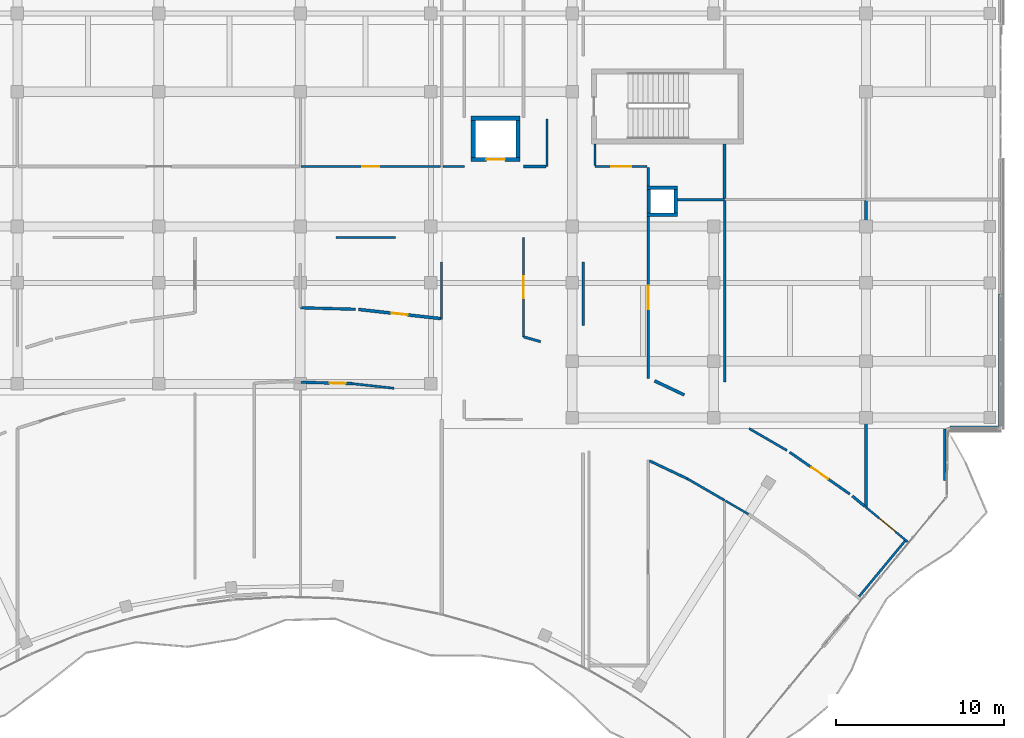
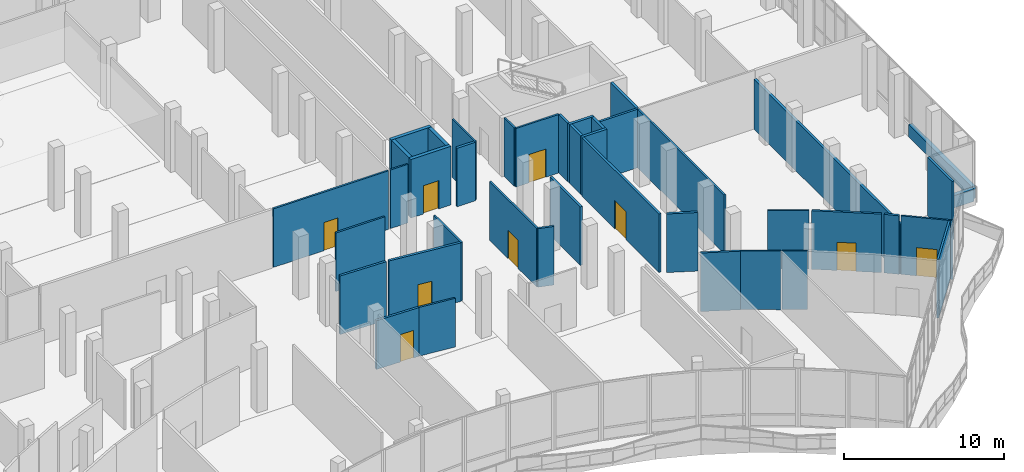
# One storey, part 140 of 155: 41 walls, 9 doors, 9 openings.
"""IFC4 building model written with IfcOpenShell, lengths in metres."""

from ifc_helpers import new_model, si_unit, direction, frame, frame_2d, origin, place, context, subcontext, project, spatial, rectangle, extrude, material, layer, layer_set, type_object, element, fill, save


model = new_model("IFC4")

# Units and contexts
model_context = context("Model", 3, precision=1e-05, world=origin(), true_north=direction((0.0, 1.0)))
body_context = subcontext(model_context, "Body", "Model", "MODEL_VIEW")
ifc_project = project(units=[si_unit("LENGTHUNIT", "METRE"), si_unit("AREAUNIT", "SQUARE_METRE"), si_unit("VOLUMEUNIT", "CUBIC_METRE"), si_unit("PLANEANGLEUNIT", "RADIAN"), si_unit("MASSUNIT", "GRAM", prefix="KILO")], contexts=[model_context])

# Site, building, storey
site_placement = place(None, origin())
site = spatial("IfcSite", under=ifc_project, at=site_placement, CompositionType="ELEMENT")
building_placement = place(site_placement, origin())
building = spatial("IfcBuilding", under=site, at=building_placement, Name="Selatvlak General Hospital", CompositionType="ELEMENT")
storey_placement = place(building_placement, frame((0.0, 0.0, 10.199951171875)))
storey = spatial("IfcBuildingStorey", under=building, at=storey_placement, Name="L02", CompositionType="ELEMENT", Elevation=10.199951171875)

# Walls
ifc_material_1 = material(Name="Precast concrete C40/50 - white Bauhaus spandrel", Category="concrete")
ifc_layer_1 = layer(ifc_material_1, 0.280029296875, Name="Precast concrete C40/50 - white Bauhaus spandrel", Category="concrete")
ifc_layer_set_1 = layer_set([ifc_layer_1], Name="Precast concrete C40/50 - white Bauhaus spandrel")
wall_type_1 = type_object("IfcWallType", Name="WALL-EW-02", PredefinedType="SOLIDWALL", material=ifc_layer_set_1)
wall_1_placement = place(storey_placement, frame((182.0, 71.9990234375, 0.0), z_axis=(0.0, 0.0, 1.0), x_axis=(0.0, -1.0, 0.0)))
element("IfcWall", 1, at=wall_1_placement, inside=storey, type_object=wall_type_1, Name="L02 Bauhaus spandrel sill wall 0312", PredefinedType="SOLIDWALL", context=body_context, shape_type="SweptSolid", body=[
    extrude(rectangle(XDim=7.85791015625, YDim=0.280029296875, at=frame_2d((3.928955078125, 0.0))), origin(), (0.0, 0.0, 1.0), 0.93994140625),
])
wall_2_placement = place(storey_placement, frame((181.860107421875, 64.0009765625, 0.0), z_axis=(0.0, 0.0, 1.0), x_axis=(-0.999999941708, -0.000341442575, 0.0)))
element("IfcWall", 2, at=wall_2_placement, inside=storey, type_object=wall_type_1, Name="L02 Bauhaus spandrel sill wall 0313", PredefinedType="SOLIDWALL", context=body_context, shape_type="SweptSolid", body=[
    extrude(rectangle(XDim=2.860107421875, YDim=0.280029296875, at=frame_2d((1.43017578125, 0.0))), origin(), (0.0, 0.0, 1.0), 0.93994140625),
])
ifc_material_2 = material(Name="Concrete C40/50", Category="concrete")
ifc_layer_2 = layer(ifc_material_2, 0.199951171875, Name="Concrete C40/50", Category="concrete")
ifc_layer_set_2 = layer_set([ifc_layer_2], Name="Concrete C40/50")
wall_type_2 = type_object("IfcWallType", Name="WALL-IW-02", PredefinedType="SOLIDWALL", material=ifc_layer_set_2)
wall_3_placement = place(storey_placement, frame((161.0, 76.699951171875, 0.0), z_axis=(0.0, 0.0, 1.0), x_axis=(1.0, 0.0, 0.0)))
element("IfcWall", 3, at=wall_3_placement, inside=storey, type_object=wall_type_2, Name="Service riser 4 shaft wall L02 S", PredefinedType="SOLIDWALL", context=body_context, shape_type="SweptSolid", body=[
    extrude(rectangle(XDim=1.800048828125, YDim=0.199951171875, at=frame_2d((0.89990234375, 0.0))), origin(), (0.0, 0.0, 1.0), 4.4599609375),
])
wall_4_placement = place(storey_placement, frame((162.699951171875, 76.800048828125, 0.0), z_axis=(0.0, 0.0, 1.0), x_axis=(0.0, 1.0, 0.0)))
element("IfcWall", 4, at=wall_4_placement, inside=storey, type_object=wall_type_2, Name="Service riser 4 shaft wall L02 E", PredefinedType="SOLIDWALL", context=body_context, shape_type="SweptSolid", body=[
    extrude(rectangle(XDim=1.39990234375, YDim=0.199951171875, at=frame_2d((0.699951171875, 0.0))), origin(), (0.0, 0.0, 1.0), 4.4599609375),
])
wall_5_placement = place(storey_placement, frame((162.800048828125, 78.300048828125, 0.0), z_axis=(0.0, 0.0, 1.0), x_axis=(-1.0, 0.0, 0.0)))
element("IfcWall", 5, at=wall_5_placement, inside=storey, type_object=wall_type_2, Name="Service riser 4 shaft wall L02 N", PredefinedType="SOLIDWALL", context=body_context, shape_type="SweptSolid", body=[
    extrude(rectangle(XDim=1.800048828125, YDim=0.199951171875, at=frame_2d((0.89990234375, 0.0))), origin(), (0.0, 0.0, 1.0), 4.4599609375),
])
wall_6_placement = place(storey_placement, frame((161.10009765625, 78.199951171875, 0.0), z_axis=(0.0, 0.0, 1.0), x_axis=(0.0, -1.0, 0.0)))
element("IfcWall", 6, at=wall_6_placement, inside=storey, type_object=wall_type_2, Name="Service riser 4 shaft wall L02 W", PredefinedType="SOLIDWALL", context=body_context, shape_type="SweptSolid", body=[
    extrude(rectangle(XDim=1.39990234375, YDim=0.199951171875, at=frame_2d((0.699951171875, 0.0))), origin(), (0.0, 0.0, 1.0), 4.4599609375),
])

# Wall, opening, door
ifc_material_3 = material(Name="Acoustic gypsum stud partition")
ifc_layer_3 = layer(ifc_material_3, 0.179931640625, Name="Acoustic gypsum stud partition")
ifc_layer_set_3 = layer_set([ifc_layer_3], Name="Acoustic gypsum stud partition")
wall_type_3 = type_object("IfcWallType", Name="WALL-PT-01", PredefinedType="PARTITIONING", material=ifc_layer_set_3)
wall_7_placement = place(storey_placement, frame((148.743896484375, 70.531005859375, 0.0), z_axis=(0.0, 0.0, 1.0), x_axis=(-0.993925453939, 0.110055404284, 0.0)))
wall_7 = element("IfcWall", 7, at=wall_7_placement, inside=storey, type_object=wall_type_3, Name="L02 clinical partition PT-L02-1215", PredefinedType="PARTITIONING", context=body_context, shape_type="SweptSolid", body=[
    extrude(rectangle(XDim=4.915771484375, YDim=0.179931640625, at=frame_2d((2.4580078125, 0.0))), origin(), (0.0, 0.0, 1.0), 4.4599609375),
])
opening_1_placement = place(wall_7_placement, frame((1.98291015625, 0.0, 0.0)))
opening_1 = element("IfcOpeningElement", 8, at=opening_1_placement, cuts=wall_7, Name="Opening D-02", PredefinedType="OPENING", context=body_context, shape_type="SweptSolid", body=[
    extrude(rectangle(XDim=0.949951171875, YDim=2.10009765625, at=frame_2d((0.47509765625, 1.050048828125))), frame((0.0, 0.099853515625, 0.0), z_axis=(0.0, -1.0, 0.0), x_axis=(1.0, 0.0, 0.0)), (0.0, 0.0, 1.0), 0.199951171875),
])
ifc_material_4 = material(Name="Moisture-resistant en-suite door")
door_type_1 = type_object("IfcDoorType", Name="DOOR-D-02", OperationType="NOTDEFINED", PredefinedType="DOOR", material=ifc_material_4)
door_1_placement = place(opening_1_placement, origin())
door_1 = element("IfcDoor", 9, at=door_1_placement, inside=storey, type_object=door_type_1, Name="L02 Post-Anaesthesia Recovery Suite 33 door", OperationType="SINGLE_SWING_RIGHT", OverallHeight=2.10009765625, OverallWidth=0.949951171875, PredefinedType="DOOR", context=body_context, shape_type="SweptSolid", body=[
    extrude(rectangle(XDim=0.949951171875, YDim=2.10009765625, at=frame_2d((0.47509765625, 1.050048828125))), frame((0.0, 0.02490234375, 0.0), z_axis=(0.0, -1.0, 0.0), x_axis=(1.0, 0.0, 0.0)), (0.0, 0.0, 1.0), 0.050048828125),
])
fill(opening_1, door_1)

# Walls
wall_8_placement = place(storey_placement, frame((163.200927734375, 65.9970703125, 0.0), z_axis=(0.0, 0.0, 1.0), x_axis=(-0.903658874167, 0.428253008325, 0.0)))
element("IfcWall", 10, at=wall_8_placement, inside=storey, type_object=wall_type_3, Name="L02 clinical partition PT-L02-1230", PredefinedType="PARTITIONING", context=body_context, shape_type="SweptSolid", body=[
    extrude(rectangle(XDim=1.951904296875, YDim=0.179931640625, at=frame_2d((0.97607421875, 0.0))), origin(), (0.0, 0.0, 1.0), 4.4599609375),
])
wall_9_placement = place(storey_placement, frame((174.0, 77.5439453125, 0.0), z_axis=(0.0, 0.0, 1.0), x_axis=(0.0, -1.0, 0.0)))
element("IfcWall", 11, at=wall_9_placement, inside=storey, type_object=wall_type_3, Name="L02 clinical partition PT-L02-1240", PredefinedType="PARTITIONING", context=body_context, shape_type="SweptSolid", body=[
    extrude(rectangle(XDim=18.224853515625, YDim=0.179931640625, at=frame_2d((9.1123046875, 0.0))), origin(), (0.0, 0.0, 1.0), 3.81005859375),
])
wall_10_placement = place(storey_placement, frame((154.98388671875, 79.56005859375, 0.0), z_axis=(0.0, 0.0, 1.0), x_axis=(-1.0, 0.0, 0.0)))
element("IfcWall", 12, at=wall_10_placement, inside=storey, type_object=wall_type_3, Name="L02 clinical partition PT-L02-1310", PredefinedType="PARTITIONING", context=body_context, shape_type="SweptSolid", body=[
    extrude(rectangle(XDim=1.323974609375, YDim=0.179931640625, at=frame_2d((0.662109375, 0.0))), origin(), (0.0, 0.0, 1.0), 4.4599609375),
])
wall_11_placement = place(storey_placement, frame((165.60009765625, 80.89306640625, 0.0), z_axis=(0.0, 0.0, 1.0), x_axis=(0.0, -1.0, 0.0)))
element("IfcWall", 13, at=wall_11_placement, inside=storey, type_object=wall_type_3, Name="L02 clinical partition PT-L02-1320", PredefinedType="PARTITIONING", context=body_context, shape_type="SweptSolid", body=[
    extrude(rectangle(XDim=3.22216796875, YDim=0.179931640625, at=frame_2d((1.611083984375, 0.0))), origin(), (0.0, 0.0, 1.0), 4.4599609375),
])

# Wall, opening, door
ifc_layer_4 = layer(ifc_material_3, 0.1650390625, Name="Acoustic gypsum stud partition")
ifc_layer_set_4 = layer_set([ifc_layer_4], Name="Acoustic gypsum stud partition")
wall_type_4 = type_object("IfcWallType", Name="WALL-PT-02", PredefinedType="PARTITIONING", material=ifc_layer_set_4)
wall_12_placement = place(storey_placement, frame((140.4560546875, 66.7509765625, 0.0), z_axis=(0.0, 0.0, 1.0), x_axis=(0.999619161953, -0.027595852149, 0.0)))
wall_12 = element("IfcWall", 14, at=wall_12_placement, inside=storey, type_object=wall_type_4, Name="L02 clinical partition PT-L02-1210", PredefinedType="PARTITIONING", context=body_context, shape_type="SweptSolid", body=[
    extrude(rectangle(XDim=3.008056640625, YDim=0.1650390625, at=frame_2d((1.50390625, 0.0))), origin(), (0.0, 0.0, 1.0), 3.7099609375),
])
opening_2_placement = place(wall_12_placement, frame((1.69091796875, 0.0, 0.0)))
opening_2 = element("IfcOpeningElement", 15, at=opening_2_placement, cuts=wall_12, Name="Opening D-02", PredefinedType="OPENING", context=body_context, shape_type="SweptSolid", body=[
    extrude(rectangle(XDim=0.949951171875, YDim=2.10009765625, at=frame_2d((0.47509765625, 1.050048828125))), frame((0.0, 0.092529296875, 0.0), z_axis=(0.0, -1.0, 0.0), x_axis=(1.0, 0.0, 0.0)), (0.0, 0.0, 1.0), 0.18505859375),
])
door_2_placement = place(opening_2_placement, origin())
door_2 = element("IfcDoor", 16, at=door_2_placement, inside=storey, type_object=door_type_1, Name="L02 Operating Theatre 32 door", OperationType="SINGLE_SWING_LEFT", OverallHeight=2.10009765625, OverallWidth=0.949951171875, PredefinedType="DOOR", context=body_context, shape_type="SweptSolid", body=[
    extrude(rectangle(XDim=0.949951171875, YDim=2.10009765625, at=frame_2d((0.47509765625, 1.050048828125))), frame((0.0, 0.02490234375, 0.0), z_axis=(0.0, -1.0, 0.0), x_axis=(1.0, 0.0, 0.0)), (0.0, 0.0, 1.0), 0.050048828125),
])
fill(opening_2, door_2)

# Walls
wall_13_placement = place(storey_placement, frame((143.676025390625, 71.083984375, 0.0), z_axis=(0.0, 0.0, 1.0), x_axis=(-0.999622135389, 0.02748793263, 0.0)))
element("IfcWall", 17, at=wall_13_placement, inside=storey, type_object=wall_type_4, Name="L02 clinical partition PT-L02-1216", PredefinedType="PARTITIONING", context=body_context, shape_type="SweptSolid", body=[
    extrude(rectangle(XDim=3.27734375, YDim=0.1650390625, at=frame_2d((1.638671875, 0.0))), origin(), (0.0, 0.0, 1.0), 4.4599609375),
])
wall_14_placement = place(storey_placement, frame((157.199951171875, 73.887939453125, 0.0), z_axis=(0.0, 0.0, 1.0), x_axis=(0.0, -1.0, 0.0)))
element("IfcWall", 18, at=wall_14_placement, inside=storey, type_object=wall_type_4, Name="L02 clinical partition PT-L02-1221", PredefinedType="PARTITIONING", context=body_context, shape_type="SweptSolid", body=[
    extrude(rectangle(XDim=3.77587890625, YDim=0.1650390625, at=frame_2d((1.887939453125, 0.0))), origin(), (0.0, 0.0, 1.0), 4.4599609375),
])

# Wall, opening, door
wall_15_placement = place(storey_placement, frame((161.06005859375, 66.98291015625, 0.0), z_axis=(0.0, 0.0, 1.0), x_axis=(0.0, 1.0, 0.0)))
wall_15 = element("IfcWall", 19, at=wall_15_placement, inside=storey, type_object=wall_type_4, Name="L02 clinical partition PT-L02-1231", PredefinedType="PARTITIONING", context=body_context, shape_type="SweptSolid", body=[
    extrude(rectangle(XDim=9.6201171875, YDim=0.1650390625, at=frame_2d((4.81005859375, 0.0))), origin(), (0.0, 0.0, 1.0), 4.4599609375),
])
opening_3_placement = place(wall_15_placement, frame((4.110107421875, 0.0, 0.0)))
opening_3 = element("IfcOpeningElement", 20, at=opening_3_placement, cuts=wall_15, Name="Opening D-11", PredefinedType="OPENING", context=body_context, shape_type="SweptSolid", body=[
    extrude(rectangle(XDim=1.39990234375, YDim=2.14990234375, at=frame_2d((0.699951171875, 1.074951171875))), frame((0.0, 0.092529296875, 0.0), z_axis=(0.0, -1.0, 0.0), x_axis=(1.0, 0.0, 0.0)), (0.0, 0.0, 1.0), 0.18505859375),
])
ifc_material_5 = material(Name="Inpatient suite bed door")
door_type_2 = type_object("IfcDoorType", Name="DOOR-D-11", OperationType="NOTDEFINED", PredefinedType="DOOR", material=ifc_material_5)
door_3_placement = place(opening_3_placement, origin())
door_3 = element("IfcDoor", 21, at=door_3_placement, inside=storey, type_object=door_type_2, Name="L02 Cardiac Catheterisation Lab 37 door", OperationType="SINGLE_SWING_RIGHT", OverallHeight=2.14990234375, OverallWidth=1.39990234375, PredefinedType="DOOR", context=body_context, shape_type="SweptSolid", body=[
    extrude(rectangle(XDim=1.39990234375, YDim=2.14990234375, at=frame_2d((0.699951171875, 1.074951171875))), frame((0.0, 0.02490234375, 0.0), z_axis=(0.0, -1.0, 0.0), x_axis=(1.0, 0.0, 0.0)), (0.0, 0.0, 1.0), 0.050048828125),
])
fill(opening_3, door_3)

# Walls
wall_16_placement = place(storey_placement, frame((173.9140625, 59.389892578125, 0.0), z_axis=(0.0, 0.0, 1.0), x_axis=(-0.769736392055, 0.638361877579, 0.0)))
element("IfcWall", 22, at=wall_16_placement, inside=storey, type_object=wall_type_4, Name="L02 clinical partition PT-L02-1241", PredefinedType="PARTITIONING", context=body_context, shape_type="SweptSolid", body=[
    extrude(rectangle(XDim=0.94970703125, YDim=0.1650390625, at=frame_2d((0.474853515625, 0.0))), origin(), (0.0, 0.0, 1.0), 4.4599609375),
])
ifc_layer_5 = layer(ifc_material_3, 0.14990234375, Name="Acoustic gypsum stud partition")
ifc_layer_set_5 = layer_set([ifc_layer_5], Name="Acoustic gypsum stud partition")
wall_type_5 = type_object("IfcWallType", Name="WALL-PT-03", PredefinedType="PARTITIONING", material=ifc_layer_set_5)
wall_17_placement = place(storey_placement, frame((154.672119140625, 69.159912109375, 0.0), z_axis=(0.0, 0.0, 1.0), x_axis=(-0.962047568244, 0.272881799386, 0.0)))
element("IfcWall", 23, at=wall_17_placement, inside=storey, type_object=wall_type_5, Name="L02 clinical partition PT-L02-1222", PredefinedType="PARTITIONING", context=body_context, shape_type="SweptSolid", body=[
    extrude(rectangle(XDim=1.05224609375, YDim=0.14990234375, at=frame_2d((0.526123046875, 0.0))), origin(), (0.0, 0.0, 1.0), 4.4599609375),
])
wall_18_placement = place(storey_placement, frame((161.137939453125, 62.083984375, 0.0), z_axis=(0.0, 0.0, 1.0), x_axis=(0.903650436863, -0.42827081147, 0.0)))
element("IfcWall", 24, at=wall_18_placement, inside=storey, type_object=wall_type_5, Name="L02 clinical partition PT-L02-1227", PredefinedType="PARTITIONING", context=body_context, shape_type="SweptSolid", body=[
    extrude(rectangle(XDim=2.503173828125, YDim=0.14990234375, at=frame_2d((1.25146484375, 0.0))), origin(), (0.0, 0.0, 1.0), 4.4599609375),
])
wall_19_placement = place(storey_placement, frame((162.797119140625, 77.60009765625, 0.0), z_axis=(0.0, 0.0, 1.0), x_axis=(1.0, 0.0, 0.0)))
element("IfcWall", 25, at=wall_19_placement, inside=storey, type_object=wall_type_5, Name="L02 clinical partition PT-L02-1232", PredefinedType="PARTITIONING", context=body_context, shape_type="SweptSolid", body=[
    extrude(rectangle(XDim=2.802978515625, YDim=0.14990234375, at=frame_2d((1.4013671875, 0.0))), origin(), (0.0, 0.0, 1.0), 4.4599609375),
])

# Wall, opening, door
wall_20_placement = place(storey_placement, frame((173.035888671875, 60.10693359375, 0.0), z_axis=(0.0, 0.0, 1.0), x_axis=(-0.820574971601, 0.571538901547, 0.0)))
wall_20 = element("IfcWall", 26, at=wall_20_placement, inside=storey, type_object=wall_type_5, Name="L02 clinical partition PT-L02-1237", PredefinedType="PARTITIONING", context=body_context, shape_type="SweptSolid", body=[
    extrude(rectangle(XDim=4.356689453125, YDim=0.14990234375, at=frame_2d((2.17822265625, 0.0))), origin(), (0.0, 0.0, 1.0), 4.4599609375),
])
opening_4_placement = place(wall_20_placement, frame((1.577880859375, 0.0, 0.0)))
opening_4 = element("IfcOpeningElement", 27, at=opening_4_placement, cuts=wall_20, Name="Opening D-23", PredefinedType="OPENING", context=body_context, shape_type="SweptSolid", body=[
    extrude(rectangle(XDim=1.199951171875, YDim=2.14990234375, at=frame_2d((0.60009765625, 1.074951171875))), frame((0.0, 0.0849609375, 0.0), z_axis=(0.0, -1.0, 0.0), x_axis=(1.0, 0.0, 0.0)), (0.0, 0.0, 1.0), 0.169921875),
])
ifc_material_6 = material(Name="Endoscopy clinical door")
door_type_3 = type_object("IfcDoorType", Name="DOOR-D-23", OperationType="NOTDEFINED", PredefinedType="DOOR", material=ifc_material_6)
door_4_placement = place(opening_4_placement, origin())
door_4 = element("IfcDoor", 28, at=door_4_placement, inside=storey, type_object=door_type_3, Name="L02 Post Anaesthesia Recovery Bay 39 door", OperationType="SINGLE_SWING_RIGHT", OverallHeight=2.14990234375, OverallWidth=1.199951171875, PredefinedType="DOOR", context=body_context, shape_type="SweptSolid", body=[
    extrude(rectangle(XDim=1.199951171875, YDim=2.14990234375, at=frame_2d((0.60009765625, 1.074951171875))), frame((0.0, 0.02490234375, 0.0), z_axis=(0.0, -1.0, 0.0), x_axis=(1.0, 0.0, 0.0)), (0.0, 0.0, 1.0), 0.050048828125),
])
fill(opening_4, door_4)

# Walls
wall_21_placement = place(storey_placement, frame((178.659912109375, 63.97509765625, 0.0), z_axis=(0.0, 0.0, 1.0), x_axis=(0.0, -1.0, 0.0)))
element("IfcWall", 29, at=wall_21_placement, inside=storey, type_object=wall_type_5, Name="L02 clinical partition PT-L02-1242", PredefinedType="PARTITIONING", context=body_context, shape_type="SweptSolid", body=[
    extrude(rectangle(XDim=3.071044921875, YDim=0.14990234375, at=frame_2d((1.53564453125, 0.0))), origin(), (0.0, 0.0, 1.0), 4.4599609375),
])
wall_22_placement = place(storey_placement, frame((161.06005859375, 78.39697265625, 0.0), z_axis=(0.0, 0.0, 1.0), x_axis=(0.0, 1.0, 0.0)))
element("IfcWall", 30, at=wall_22_placement, inside=storey, type_object=wall_type_5, Name="L02 clinical partition PT-L02-1317", PredefinedType="PARTITIONING", context=body_context, shape_type="SweptSolid", body=[
    extrude(rectangle(XDim=1.10302734375, YDim=0.14990234375, at=frame_2d((0.551513671875, 0.0))), origin(), (0.0, 0.0, 1.0), 4.4599609375),
])
ifc_material_7 = material(Name="Moisture-resistant clinical partition")
ifc_layer_6 = layer(ifc_material_7, 0.135009765625, Name="Moisture-resistant clinical partition")
ifc_layer_set_6 = layer_set([ifc_layer_6], Name="Moisture-resistant clinical partition")
wall_type_6 = type_object("IfcWallType", Name="WALL-PT-04", PredefinedType="PARTITIONING", material=ifc_layer_set_6)
wall_23_placement = place(storey_placement, frame((143.462890625, 66.66796875, 0.0), z_axis=(0.0, 0.0, 1.0), x_axis=(0.993938191899, -0.109940305095, 0.0)))
element("IfcWall", 31, at=wall_23_placement, inside=storey, type_object=wall_type_6, Name="L02 clinical partition PT-L02-1211", PredefinedType="PARTITIONING", context=body_context, shape_type="SweptSolid", body=[
    extrude(rectangle(XDim=2.50927734375, YDim=0.135009765625, at=frame_2d((1.254638671875, 0.0))), origin(), (0.0, 0.0, 1.0), 3.7099609375),
])
wall_24_placement = place(storey_placement, frame((142.508056640625, 75.340087890625, 0.0), z_axis=(0.0, 0.0, 1.0), x_axis=(1.0, 0.0, 0.0)))
element("IfcWall", 32, at=wall_24_placement, inside=storey, type_object=wall_type_6, Name="L02 clinical partition PT-L02-1213", PredefinedType="PARTITIONING", context=body_context, shape_type="SweptSolid", body=[
    extrude(rectangle(XDim=3.533935546875, YDim=0.135009765625, at=frame_2d((1.76708984375, 0.0))), origin(), (0.0, 0.0, 1.0), 4.4599609375),
])

# Wall, opening, door
wall_25_placement = place(storey_placement, frame((153.659912109375, 69.447021484375, 0.0), z_axis=(0.0, 0.0, 1.0), x_axis=(0.0, 1.0, 0.0)))
wall_25 = element("IfcWall", 33, at=wall_25_placement, inside=storey, type_object=wall_type_6, Name="L02 clinical partition PT-L02-1223", PredefinedType="PARTITIONING", context=body_context, shape_type="SweptSolid", body=[
    extrude(rectangle(XDim=5.89306640625, YDim=0.135009765625, at=frame_2d((2.946533203125, 0.0))), origin(), (0.0, 0.0, 1.0), 4.4599609375),
])
opening_5_placement = place(wall_25_placement, frame((2.297119140625, 0.0, 0.0)))
opening_5 = element("IfcOpeningElement", 34, at=opening_5_placement, cuts=wall_25, Name="Opening D-09", PredefinedType="OPENING", context=body_context, shape_type="SweptSolid", body=[
    extrude(rectangle(XDim=1.300048828125, YDim=2.14990234375, at=frame_2d((0.64990234375, 1.074951171875))), frame((0.0, 0.077392578125, 0.0), z_axis=(0.0, -1.0, 0.0), x_axis=(1.0, 0.0, 0.0)), (0.0, 0.0, 1.0), 0.155029296875),
])
ifc_material_8 = material(Name="Outpatient procedure door")
door_type_4 = type_object("IfcDoorType", Name="DOOR-D-09", OperationType="NOTDEFINED", PredefinedType="DOOR", material=ifc_material_8)
door_5_placement = place(opening_5_placement, origin())
door_5 = element("IfcDoor", 35, at=door_5_placement, inside=storey, type_object=door_type_4, Name="L02 Sterile Instrument Preparation 35 door", OperationType="SINGLE_SWING_RIGHT", OverallHeight=2.14990234375, OverallWidth=1.300048828125, PredefinedType="DOOR", context=body_context, shape_type="SweptSolid", body=[
    extrude(rectangle(XDim=1.300048828125, YDim=2.14990234375, at=frame_2d((0.64990234375, 1.074951171875))), frame((0.0, 0.02490234375, 0.0), z_axis=(0.0, -1.0, 0.0), x_axis=(1.0, 0.0, 0.0)), (0.0, 0.0, 1.0), 0.050048828125),
])
fill(opening_5, door_5)

# Walls
wall_26_placement = place(storey_placement, frame((163.39990234375, 61.011962890625, 0.0), z_axis=(0.0, 0.0, 1.0), x_axis=(0.865071180383, -0.501649133231, 0.0)))
element("IfcWall", 36, at=wall_26_placement, inside=storey, type_object=wall_type_6, Name="L02 clinical partition PT-L02-1228", PredefinedType="PARTITIONING", context=body_context, shape_type="SweptSolid", body=[
    extrude(rectangle(XDim=2.54345703125, YDim=0.135009765625, at=frame_2d((1.271728515625, 0.0))), origin(), (0.0, 0.0, 1.0), 4.4599609375),
])
wall_27_placement = place(storey_placement, frame((165.60009765625, 77.529052734375, 0.0), z_axis=(0.0, 0.0, 1.0), x_axis=(0.0, -1.0, 0.0)))
element("IfcWall", 37, at=wall_27_placement, inside=storey, type_object=wall_type_6, Name="L02 clinical partition PT-L02-1233", PredefinedType="PARTITIONING", context=body_context, shape_type="SweptSolid", body=[
    extrude(rectangle(XDim=10.76708984375, YDim=0.135009765625, at=frame_2d((5.383544921875, 0.0))), origin(), (0.0, 0.0, 1.0), 4.4599609375),
])
wall_28_placement = place(storey_placement, frame((169.306884765625, 62.696044921875, 0.0), z_axis=(0.0, 0.0, 1.0), x_axis=(-0.86512994763, 0.501547778097, 0.0)))
element("IfcWall", 38, at=wall_28_placement, inside=storey, type_object=wall_type_6, Name="L02 clinical partition PT-L02-1238", PredefinedType="PARTITIONING", context=body_context, shape_type="SweptSolid", body=[
    extrude(rectangle(XDim=2.595947265625, YDim=0.135009765625, at=frame_2d((1.2978515625, 0.0))), origin(), (0.0, 0.0, 1.0), 4.4599609375),
])
wall_29_placement = place(storey_placement, frame((173.583984375, 54.02587890625, 0.0), z_axis=(0.0, 0.0, 1.0), x_axis=(0.637775393062, 0.770222401651, 0.0)))
element("IfcWall", 39, at=wall_29_placement, inside=storey, type_object=wall_type_6, Name="L02 clinical partition PT-L02-1243", PredefinedType="PARTITIONING", context=body_context, shape_type="SweptSolid", body=[
    extrude(rectangle(XDim=4.281982421875, YDim=0.135009765625, at=frame_2d((2.14111328125, 0.0))), origin(), (0.0, 0.0, 1.0), 4.4599609375),
])

# Wall, opening, door
wall_30_placement = place(storey_placement, frame((148.72900390625, 79.56005859375, 0.0), z_axis=(0.0, 0.0, 1.0), x_axis=(-1.0, 0.0, 0.0)))
wall_30 = element("IfcWall", 40, at=wall_30_placement, inside=storey, type_object=wall_type_6, Name="L02 clinical partition PT-L02-1308", PredefinedType="PARTITIONING", context=body_context, shape_type="SweptSolid", body=[
    extrude(rectangle(XDim=8.27294921875, YDim=0.135009765625, at=frame_2d((4.136474609375, 0.0))), origin(), (0.0, 0.0, 1.0), 4.4599609375),
])
opening_6_placement = place(wall_30_placement, frame((3.636962890625, 0.0, 0.0)))
opening_6 = element("IfcOpeningElement", 41, at=opening_6_placement, cuts=wall_30, Name="Opening D-21", PredefinedType="OPENING", context=body_context, shape_type="SweptSolid", body=[
    extrude(rectangle(XDim=1.0, YDim=2.14990234375, at=frame_2d((0.5, 1.074951171875))), frame((0.0, 0.077392578125, 0.0), z_axis=(0.0, -1.0, 0.0), x_axis=(1.0, 0.0, 0.0)), (0.0, 0.0, 1.0), 0.155029296875),
])
ifc_material_9 = material(Name="Laboratory fire door")
door_type_5 = type_object("IfcDoorType", Name="DOOR-D-21", OperationType="NOTDEFINED", PredefinedType="DOOR", material=ifc_material_9)
door_6_placement = place(opening_6_placement, origin())
door_6 = element("IfcDoor", 42, at=door_6_placement, inside=storey, type_object=door_type_5, Name="L02 Cardiac Catheterisation Lab 55 door", OperationType="SINGLE_SWING_RIGHT", OverallHeight=2.14990234375, OverallWidth=1.0, PredefinedType="DOOR", context=body_context, shape_type="SweptSolid", body=[
    extrude(rectangle(XDim=1.0, YDim=2.14990234375, at=frame_2d((0.5, 1.074951171875))), frame((0.0, 0.02490234375, 0.0), z_axis=(0.0, -1.0, 0.0), x_axis=(1.0, 0.0, 0.0)), (0.0, 0.0, 1.0), 0.050048828125),
])
fill(opening_6, door_6)

wall_31_placement = place(storey_placement, frame((161.0, 79.56005859375, 0.0), z_axis=(0.0, 0.0, 1.0), x_axis=(-1.0, 0.0, 0.0)))
wall_31 = element("IfcWall", 43, at=wall_31_placement, inside=storey, type_object=wall_type_6, Name="L02 clinical partition PT-L02-1318", PredefinedType="PARTITIONING", context=body_context, shape_type="SweptSolid", body=[
    extrude(rectangle(XDim=3.090087890625, YDim=0.135009765625, at=frame_2d((1.544921875, 0.0))), origin(), (0.0, 0.0, 1.0), 4.4599609375),
])
opening_7_placement = place(wall_31_placement, frame((0.945068359375, 0.0, 0.0)))
opening_7 = element("IfcOpeningElement", 44, at=opening_7_placement, cuts=wall_31, Name="Opening D-07", PredefinedType="OPENING", context=body_context, shape_type="SweptSolid", body=[
    extrude(rectangle(XDim=1.199951171875, YDim=2.14990234375, at=frame_2d((0.60009765625, 1.074951171875))), frame((0.0, 0.077392578125, 0.0), z_axis=(0.0, -1.0, 0.0), x_axis=(1.0, 0.0, 0.0)), (0.0, 0.0, 1.0), 0.155029296875),
])
ifc_material_10 = material(Name="Plant and store fire door")
door_type_6 = type_object("IfcDoorType", Name="DOOR-D-07", OperationType="NOTDEFINED", PredefinedType="DOOR", material=ifc_material_10)
door_7_placement = place(opening_7_placement, origin())
door_7 = element("IfcDoor", 45, at=door_7_placement, inside=storey, type_object=door_type_6, Name="L02 Surgical Day Admission Lounge 58 door", OperationType="SINGLE_SWING_LEFT", OverallHeight=2.14990234375, OverallWidth=1.199951171875, PredefinedType="DOOR", context=body_context, shape_type="SweptSolid", body=[
    extrude(rectangle(XDim=1.199951171875, YDim=2.14990234375, at=frame_2d((0.60009765625, 1.074951171875))), frame((0.0, 0.02490234375, 0.0), z_axis=(0.0, -1.0, 0.0), x_axis=(1.0, 0.0, 0.0)), (0.0, 0.0, 1.0), 0.050048828125),
])
fill(opening_7, door_7)

# Walls
ifc_layer_7 = layer(ifc_material_7, 0.1201171875, Name="Moisture-resistant clinical partition")
ifc_layer_set_7 = layer_set([ifc_layer_7], Name="Moisture-resistant clinical partition")
wall_type_7 = type_object("IfcWallType", Name="WALL-PT-05", PredefinedType="PARTITIONING", material=ifc_layer_set_7)
wall_32_placement = place(storey_placement, frame((148.800048828125, 73.887939453125, 0.0), z_axis=(0.0, 0.0, 1.0), x_axis=(0.0, -1.0, 0.0)))
element("IfcWall", 46, at=wall_32_placement, inside=storey, type_object=wall_type_7, Name="L02 clinical partition PT-L02-1214", PredefinedType="PARTITIONING", context=body_context, shape_type="SweptSolid", body=[
    extrude(rectangle(XDim=3.407958984375, YDim=0.1201171875, at=frame_2d((1.7041015625, 0.0))), origin(), (0.0, 0.0, 1.0), 4.4599609375),
])
wall_33_placement = place(storey_placement, frame((165.656005859375, 59.7041015625, 0.0), z_axis=(0.0, 0.0, 1.0), x_axis=(0.864806420331, -0.502105422551, 0.0)))
element("IfcWall", 47, at=wall_33_placement, inside=storey, type_object=wall_type_7, Name="L02 clinical partition PT-L02-1234", PredefinedType="PARTITIONING", context=body_context, shape_type="SweptSolid", body=[
    extrude(rectangle(XDim=1.565673828125, YDim=0.1201171875, at=frame_2d((0.78271484375, 0.0))), origin(), (0.0, 0.0, 1.0), 4.4599609375),
])

# Wall, opening, door
wall_34_placement = place(storey_placement, frame((176.530029296875, 57.22509765625, 0.0), z_axis=(0.0, 0.0, 1.0), x_axis=(-0.770367879737, 0.637599662695, 0.0)))
wall_34 = element("IfcWall", 48, at=wall_34_placement, inside=storey, type_object=wall_type_7, Name="L02 clinical partition PT-L02-1244", PredefinedType="PARTITIONING", context=body_context, shape_type="SweptSolid", body=[
    extrude(rectangle(XDim=3.2841796875, YDim=0.1201171875, at=frame_2d((1.64208984375, 0.0))), origin(), (0.0, 0.0, 1.0), 4.4599609375),
])
opening_8_placement = place(wall_34_placement, frame((0.991943359375, 0.0, 0.0)))
opening_8 = element("IfcOpeningElement", 49, at=opening_8_placement, cuts=wall_34, Name="Opening D-24", PredefinedType="OPENING", context=body_context, shape_type="SweptSolid", body=[
    extrude(rectangle(XDim=1.300048828125, YDim=2.14990234375, at=frame_2d((0.64990234375, 1.074951171875))), frame((0.0, 0.070068359375, 0.0), z_axis=(0.0, -1.0, 0.0), x_axis=(1.0, 0.0, 0.0)), (0.0, 0.0, 1.0), 0.14013671875),
])
ifc_material_11 = material(Name="Oncology bay door")
door_type_7 = type_object("IfcDoorType", Name="DOOR-D-24", OperationType="NOTDEFINED", PredefinedType="DOOR", material=ifc_material_11)
door_8_placement = place(opening_8_placement, origin())
door_8 = element("IfcDoor", 50, at=door_8_placement, inside=storey, type_object=door_type_7, Name="L02 Surgical Day Admission Lounge 40 door", OperationType="SINGLE_SWING_LEFT", OverallHeight=2.14990234375, OverallWidth=1.300048828125, PredefinedType="DOOR", context=body_context, shape_type="SweptSolid", body=[
    extrude(rectangle(XDim=1.300048828125, YDim=2.14990234375, at=frame_2d((0.64990234375, 1.074951171875))), frame((0.0, 0.02490234375, 0.0), z_axis=(0.0, -1.0, 0.0), x_axis=(1.0, 0.0, 0.0)), (0.0, 0.0, 1.0), 0.050048828125),
])
fill(opening_8, door_8)

# Walls
wall_35_placement = place(storey_placement, frame((155.0400390625, 82.388916015625, 0.0), z_axis=(0.0, 0.0, 1.0), x_axis=(0.0, -1.0, 0.0)))
element("IfcWall", 51, at=wall_35_placement, inside=storey, type_object=wall_type_7, Name="L02 clinical partition PT-L02-1309", PredefinedType="PARTITIONING", context=body_context, shape_type="SweptSolid", body=[
    extrude(rectangle(XDim=2.828857421875, YDim=0.1201171875, at=frame_2d((1.41455078125, 0.0))), origin(), (0.0, 0.0, 1.0), 4.4599609375),
])
wall_36_placement = place(storey_placement, frame((150.139892578125, 79.56005859375, 0.0), z_axis=(0.0, 0.0, 1.0), x_axis=(-1.0, 0.0, 0.0)))
element("IfcWall", 52, at=wall_36_placement, inside=storey, type_object=wall_type_7, Name="L02 clinical partition PT-L02-1314", PredefinedType="PARTITIONING", context=body_context, shape_type="SweptSolid", body=[
    extrude(rectangle(XDim=1.268798828125, YDim=0.1201171875, at=frame_2d((0.63427734375, 0.0))), origin(), (0.0, 0.0, 1.0), 4.4599609375),
])
wall_37_placement = place(storey_placement, frame((157.909912109375, 79.6240234375, 0.0), z_axis=(0.0, 0.0, 1.0), x_axis=(0.0, 1.0, 0.0)))
element("IfcWall", 53, at=wall_37_placement, inside=storey, type_object=wall_type_7, Name="L02 clinical partition PT-L02-1319", PredefinedType="PARTITIONING", context=body_context, shape_type="SweptSolid", body=[
    extrude(rectangle(XDim=1.26904296875, YDim=0.1201171875, at=frame_2d((0.634521484375, 0.0))), origin(), (0.0, 0.0, 1.0), 4.4599609375),
])

# Wall, opening, door
ifc_layer_8 = layer(ifc_material_2, 0.25, Name="Concrete C40/50", Category="concrete")
ifc_layer_set_8 = layer_set([ifc_layer_8], Name="Concrete C40/50")
wall_type_8 = type_object("IfcWallType", Name="WALL-SW-03", PredefinedType="SHEAR", material=ifc_layer_set_8)
wall_38_placement = place(storey_placement, frame((150.550048828125, 79.97509765625, 0.0), z_axis=(0.0, 0.0, 1.0), x_axis=(1.0, 0.0, 0.0)))
wall_38 = element("IfcWall", 54, at=wall_38_placement, inside=storey, type_object=wall_type_8, Name="Lift LP-04 shaft wall L02 S", PredefinedType="SHEAR", context=body_context, shape_type="SweptSolid", body=[
    extrude(rectangle(XDim=2.89990234375, YDim=0.25, at=frame_2d((1.449951171875, 0.0))), origin(), (0.0, 0.0, 1.0), 4.4599609375),
])
opening_9_placement = place(wall_38_placement, frame((0.89990234375, 0.0, 0.0)))
opening_9 = element("IfcOpeningElement", 55, at=opening_9_placement, cuts=wall_38, Name="Opening LD-P1", PredefinedType="OPENING", context=body_context, shape_type="SweptSolid", body=[
    extrude(rectangle(XDim=1.10009765625, YDim=2.14990234375, at=frame_2d((0.550048828125, 1.074951171875))), frame((0.0, 0.135009765625, 0.0), z_axis=(0.0, -1.0, 0.0), x_axis=(1.0, 0.0, 0.0)), (0.0, 0.0, 1.0), 0.27001953125),
])
ifc_material_12 = material(Name="Stainless steel passenger lift landing door", Category="steel")
door_type_8 = type_object("IfcDoorType", Name="DOOR-LD-P1", OperationType="DOUBLE_DOOR_SLIDING", PredefinedType="DOOR", material=ifc_material_12)
door_9_placement = place(opening_9_placement, origin())
door_9 = element("IfcDoor", 56, at=door_9_placement, inside=storey, type_object=door_type_8, Name="Lift LP-04 sliding landing door on L02", OperationType="DOUBLE_DOOR_SLIDING", OverallHeight=2.14990234375, OverallWidth=1.10009765625, PredefinedType="DOOR", context=body_context, shape_type="SweptSolid", body=[
    extrude(rectangle(XDim=1.10009765625, YDim=2.14990234375, at=frame_2d((0.550048828125, 1.074951171875))), frame((0.0, 0.02490234375, 0.0), z_axis=(0.0, -1.0, 0.0), x_axis=(1.0, 0.0, 0.0)), (0.0, 0.0, 1.0), 0.050048828125),
])
fill(opening_9, door_9)

# Walls
wall_39_placement = place(storey_placement, frame((153.324951171875, 80.10009765625, 0.0), z_axis=(0.0, 0.0, 1.0), x_axis=(0.0, 1.0, 0.0)))
element("IfcWall", 57, at=wall_39_placement, inside=storey, type_object=wall_type_8, Name="Lift LP-04 shaft wall L02 E", PredefinedType="SHEAR", context=body_context, shape_type="SweptSolid", body=[
    extrude(rectangle(XDim=2.199951171875, YDim=0.25, at=frame_2d((1.10009765625, 0.0))), origin(), (0.0, 0.0, 1.0), 4.4599609375),
])
wall_40_placement = place(storey_placement, frame((153.449951171875, 82.425048828125, 0.0), z_axis=(0.0, 0.0, 1.0), x_axis=(-1.0, 0.0, 0.0)))
element("IfcWall", 58, at=wall_40_placement, inside=storey, type_object=wall_type_8, Name="Lift LP-04 shaft wall L02 N", PredefinedType="SHEAR", context=body_context, shape_type="SweptSolid", body=[
    extrude(rectangle(XDim=2.89990234375, YDim=0.25, at=frame_2d((1.449951171875, 0.0))), origin(), (0.0, 0.0, 1.0), 4.4599609375),
])
wall_41_placement = place(storey_placement, frame((150.675048828125, 82.300048828125, 0.0), z_axis=(0.0, 0.0, 1.0), x_axis=(0.0, -1.0, 0.0)))
element("IfcWall", 59, at=wall_41_placement, inside=storey, type_object=wall_type_8, Name="Lift LP-04 shaft wall L02 W", PredefinedType="SHEAR", context=body_context, shape_type="SweptSolid", body=[
    extrude(rectangle(XDim=2.199951171875, YDim=0.25, at=frame_2d((1.10009765625, 0.0))), origin(), (0.0, 0.0, 1.0), 4.4599609375),
])

save(model, "model.ifc")
